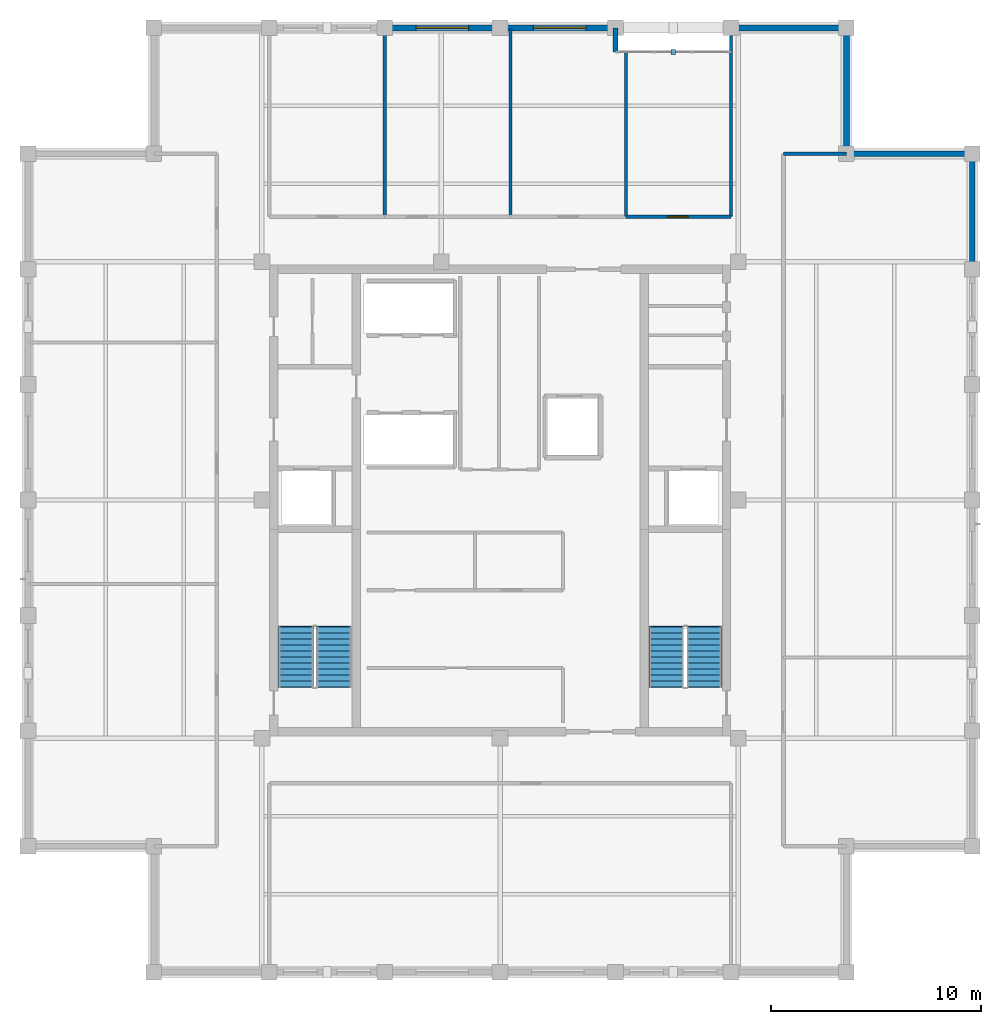
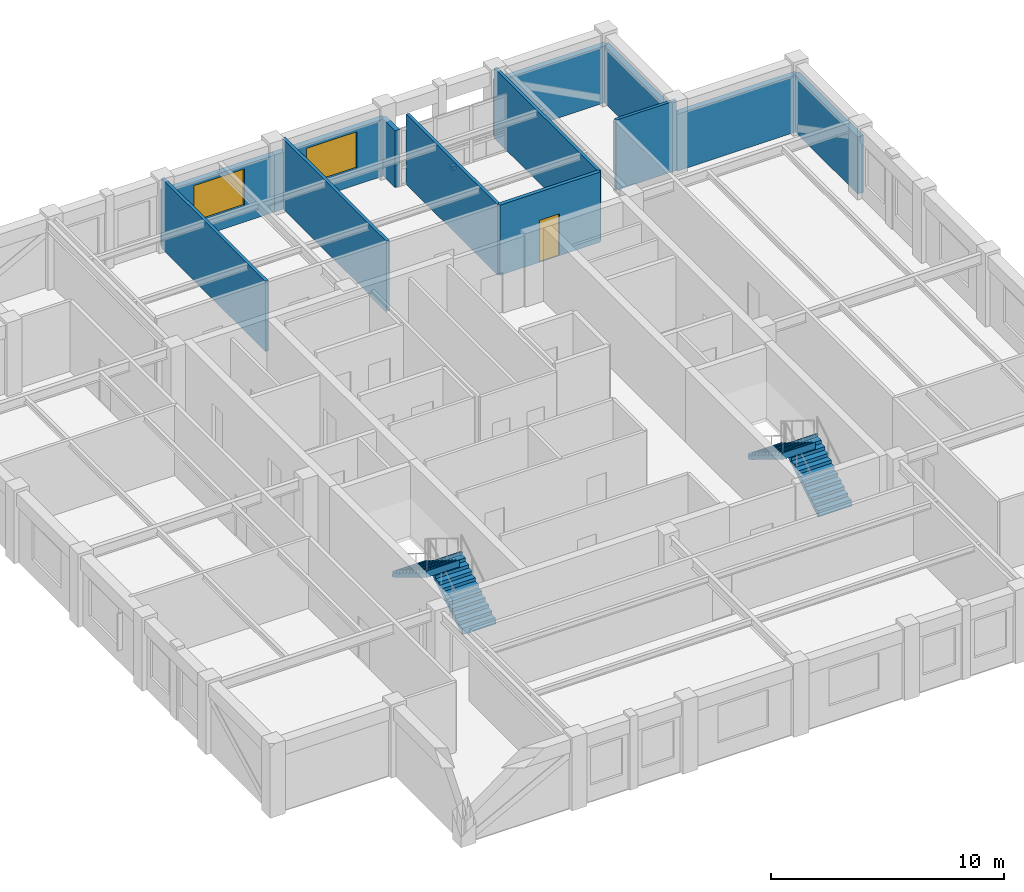
# One storey, part 9 of 10: 13 walls, 4 stair flights, 2 windows, 1 discrete accessory, 1 door, 3 openings, 2 elements without a shape of their own.
"""IFC4 building model written with IfcOpenShell, lengths in metres."""

from ifc_helpers import new_model, si_unit, direction, frame, frame_2d, origin, origin_2d, place, context, subcontext, project, spatial, polyline, rectangle, outline, extrude, material, layer, layer_set, type_object, element, fill, aggregate, save


model = new_model("IFC4")

# Units and contexts
model_context = context("Model", 3, precision=1e-05, world=origin(), true_north=direction((0.0, 1.0)))
body_context = subcontext(model_context, "Body", "Model", "MODEL_VIEW")
ifc_project = project(units=[si_unit("LENGTHUNIT", "METRE"), si_unit("AREAUNIT", "SQUARE_METRE"), si_unit("VOLUMEUNIT", "CUBIC_METRE"), si_unit("PLANEANGLEUNIT", "RADIAN"), si_unit("MASSUNIT", "GRAM", prefix="KILO")], contexts=[model_context])

# Site, building, storey
site_placement = place(None, origin())
site = spatial("IfcSite", under=ifc_project, at=site_placement, CompositionType="ELEMENT")
building_placement = place(site_placement, origin())
building = spatial("IfcBuilding", under=site, at=building_placement, Name="Nhamokura Convention Tower", CompositionType="ELEMENT")
storey_placement = place(building_placement, frame((0.0, 0.0, 277.550048828125)))
storey = spatial("IfcBuildingStorey", under=building, at=storey_placement, Name="L68", CompositionType="ELEMENT", Elevation=277.550048828125)

# Wall
ifc_material_1 = material(Name="Bronze-pigmented precast concrete C45/55", Category="concrete")
ifc_layer_1 = layer(ifc_material_1, 0.280029296875)
ifc_layer_set_1 = layer_set([ifc_layer_1], Name="BronzePrecastSpandrel_280")
wall_type_1 = type_object("IfcWallType", Name="BronzePrecastSpandrel_280", PredefinedType="USERDEFINED", material=ifc_layer_set_1)
wall_1_placement = place(storey_placement, frame((37.5, 54.5, 0.0), z_axis=(0.0, 0.0, 1.0), x_axis=(0.0, -1.0, 0.0)))
element("IfcWall", 1, at=wall_1_placement, inside=storey, type_object=wall_type_1, Name="L68 Scale Slot Cheek Wall NORTHA", ObjectType="SPANDREL_WALL", PredefinedType="USERDEFINED", context=body_context, shape_type="SweptSolid", body=[
    extrude(rectangle(XDim=1.14990234375, YDim=0.239990234375, at=frame_2d((0.574951171875, 0.0))), origin(), (0.0, 0.0, 1.0), 2.98486328125),
])

# Wall, opening, window
wall_2_placement = place(storey_placement, frame((26.5, 54.5, 0.0), z_axis=(0.0, 0.0, 1.0), x_axis=(1.0, 0.0, 0.0)))
wall_2 = element("IfcWall", 2, at=wall_2_placement, inside=storey, type_object=wall_type_1, Name="L68 Masonry-Frame Wall NORTH 2", ObjectType="SPANDREL_WALL", PredefinedType="USERDEFINED", context=body_context, shape_type="SweptSolid", body=[
    extrude(rectangle(XDim=5.5, YDim=0.280029296875, at=frame_2d((2.75, 0.0))), origin(), (0.0, 0.0, 1.0), 2.98486328125),
])
opening_1_placement = place(wall_2_placement, frame((1.5, 0.0, 0.85009765625)))
opening_1 = element("IfcOpeningElement", 3, at=opening_1_placement, cuts=wall_2, Name="Opening W-09", PredefinedType="OPENING", context=body_context, shape_type="SweptSolid", body=[
    extrude(rectangle(XDim=2.5, YDim=1.93505859375, at=frame_2d((1.25, 0.967529296875))), frame((0.0, 0.14990234375, 0.0), z_axis=(0.0, -1.0, 0.0), x_axis=(1.0, 0.0, 0.0)), (0.0, 0.0, 1.0), 0.300048828125),
])
ifc_material_2 = material(Name="Solar-control bronze low-E double glass", Category="glass")
window_type = type_object("IfcWindowType", Name="SummitWindow_Z4_2500", PartitioningType="DOUBLE_PANEL_VERTICAL", PredefinedType="WINDOW", material=ifc_material_2)
window_1_placement = place(opening_1_placement, origin())
window_1 = element("IfcWindow", 4, at=window_1_placement, inside=storey, type_object=window_type, Name="L68 Facade Window NORTH 2", OverallHeight=1.93505859375, OverallWidth=2.5, PartitioningType="SINGLE_PANEL", PredefinedType="WINDOW", context=body_context, shape_type="SweptSolid", body=[
    extrude(rectangle(XDim=2.5, YDim=1.93505859375, at=frame_2d((1.25, 0.967529296875))), frame((0.0, 0.030029296875, 0.0), z_axis=(0.0, -1.0, 0.0), x_axis=(1.0, 0.0, 0.0)), (0.0, 0.0, 1.0), 0.06005859375),
])
fill(opening_1, window_1)

wall_3_placement = place(storey_placement, frame((32.0, 54.5, 0.0), z_axis=(0.0, 0.0, 1.0), x_axis=(1.0, 0.0, 0.0)))
wall_3 = element("IfcWall", 5, at=wall_3_placement, inside=storey, type_object=wall_type_1, Name="L68 Masonry-Frame Wall NORTH 3", ObjectType="SPANDREL_WALL", PredefinedType="USERDEFINED", context=body_context, shape_type="SweptSolid", body=[
    extrude(rectangle(XDim=5.5, YDim=0.280029296875, at=frame_2d((2.75, 0.0))), origin(), (0.0, 0.0, 1.0), 2.98486328125),
])
opening_2_placement = place(wall_3_placement, frame((1.58740234375, 0.0, 0.85009765625)))
opening_2 = element("IfcOpeningElement", 6, at=opening_2_placement, cuts=wall_3, Name="Opening W-09", PredefinedType="OPENING", context=body_context, shape_type="SweptSolid", body=[
    extrude(rectangle(XDim=2.5, YDim=1.93505859375, at=frame_2d((1.25, 0.967529296875))), frame((0.0, 0.14990234375, 0.0), z_axis=(0.0, -1.0, 0.0), x_axis=(1.0, 0.0, 0.0)), (0.0, 0.0, 1.0), 0.300048828125),
])
window_2_placement = place(opening_2_placement, origin())
window_2 = element("IfcWindow", 7, at=window_2_placement, inside=storey, type_object=window_type, Name="L68 Facade Window NORTH 3", OverallHeight=1.93505859375, OverallWidth=2.5, PartitioningType="SINGLE_PANEL", PredefinedType="WINDOW", context=body_context, shape_type="SweptSolid", body=[
    extrude(rectangle(XDim=2.5, YDim=1.93505859375, at=frame_2d((1.25, 0.967529296875))), frame((0.0, 0.030029296875, 0.0), z_axis=(0.0, -1.0, 0.0), x_axis=(1.0, 0.0, 0.0)), (0.0, 0.0, 1.0), 0.06005859375),
])
fill(opening_2, window_2)

# Walls
for number, where, z_axis, x_axis, name in (
    (8, (43.0, 54.5, 0.0), (0.0, 0.0, 1.0), (1.0, 0.0, 0.0), "L68 Braced-Bay Precast Wall NORTH 5"),
    (9, (54.5, 48.5, 0.0), (0.0, 0.0, 1.0), (0.0, -1.0, 0.0), "L68 Braced-Bay Precast Wall EAST 5"),
):
    element("IfcWall", number, at=place(storey_placement, frame(where, z_axis=z_axis, x_axis=x_axis)), inside=storey, type_object=wall_type_1, Name=name, ObjectType="SPANDREL_WALL", PredefinedType="USERDEFINED", context=body_context, shape_type="SweptSolid", body=[
        extrude(rectangle(XDim=5.5, YDim=0.280029296875, at=frame_2d((2.75, 0.0))), origin(), (0.0, 0.0, 1.0), 2.98486328125),
    ])
for number, where, z_axis, x_axis, name in (
    (10, (48.5, 48.5, 0.0), (0.0, 0.0, 1.0), (1.0, 0.0, 0.0), "L68 Notched Corner Wall NE1"),
    (11, (48.5, 54.5, 0.0), (0.0, 0.0, 1.0), (0.0, -1.0, 0.0), "L68 Notched Corner Wall NE2"),
):
    element("IfcWall", number, at=place(storey_placement, frame(where, z_axis=z_axis, x_axis=x_axis)), inside=storey, type_object=wall_type_1, Name=name, ObjectType="SPANDREL_WALL", PredefinedType="USERDEFINED", context=body_context, shape_type="SweptSolid", body=[
        extrude(rectangle(XDim=6.0, YDim=0.280029296875, at=frame_2d((3.0, 0.0))), origin(), (0.0, 0.0, 1.0), 2.98486328125),
    ])

# Wall, opening, door
ifc_material_3 = material(Name="Fire-rated gypsum and masonry partition", Category="masonry")
ifc_layer_2 = layer(ifc_material_3, 0.179931640625)
ifc_layer_set_2 = layer_set([ifc_layer_2], Name="CorridorRatedWall_180")
wall_type_2 = type_object("IfcWallType", Name="CorridorRatedWall_180", PredefinedType="STANDARD", material=ifc_layer_set_2)
wall_4_placement = place(storey_placement, frame((38.0, 45.5, 0.0), z_axis=(0.0, 0.0, 1.0), x_axis=(1.0, 0.0, 0.0)))
wall_4 = element("IfcWall", 12, at=wall_4_placement, inside=storey, type_object=wall_type_2, Name="L68 Wall INT-L68-CW-N03", PredefinedType="STANDARD", context=body_context, shape_type="SweptSolid", body=[
    extrude(rectangle(XDim=5.0, YDim=0.179931640625, at=frame_2d((2.5, 0.0))), origin(), (0.0, 0.0, 1.0), 3.68505859375),
])
opening_3_placement = place(wall_4_placement, frame((1.97509765625, 0.0, 0.0)))
opening_3 = element("IfcOpeningElement", 13, at=opening_3_placement, cuts=wall_4, Name="Opening D-08", PredefinedType="OPENING", context=body_context, shape_type="SweptSolid", body=[
    extrude(rectangle(XDim=0.97998046875, YDim=2.199951171875, at=frame_2d((0.489990234375, 1.10009765625))), frame((0.0, 0.099853515625, 0.0), z_axis=(0.0, -1.0, 0.0), x_axis=(1.0, 0.0, 0.0)), (0.0, 0.0, 1.0), 0.199951171875),
])
ifc_material_4 = material(Name="Solid oak hardwood", Category="wood")
door_type = type_object("IfcDoorType", Name="OfficeEntryDoor_980", OperationType="NOTDEFINED", PredefinedType="DOOR", material=ifc_material_4)
door_placement = place(opening_3_placement, origin())
door = element("IfcDoor", 14, at=door_placement, inside=storey, type_object=door_type, Name="L68 Document Store N04 Door", OperationType="SINGLE_SWING_RIGHT", OverallHeight=2.199951171875, OverallWidth=0.97998046875, PredefinedType="DOOR", context=body_context, shape_type="SweptSolid", body=[
    extrude(rectangle(XDim=0.97998046875, YDim=2.199951171875, at=frame_2d((0.489990234375, 1.10009765625))), frame((0.0, 0.02490234375, 0.0), z_axis=(0.0, -1.0, 0.0), x_axis=(1.0, 0.0, 0.0)), (0.0, 0.0, 1.0), 0.050048828125),
])
fill(opening_3, door)

# Walls
ifc_material_5 = material(Name="Acoustic gypsum stud partition", Category="masonry")
ifc_layer_3 = layer(ifc_material_5, 0.14990234375)
ifc_layer_set_3 = layer_set([ifc_layer_3], Name="InteriorPartition_150")
wall_type_3 = type_object("IfcWallType", Name="InteriorPartition_150", PredefinedType="STANDARD", material=ifc_layer_set_3)
for number, where, z_axis, x_axis, name in (
    (15, (43.0, 45.5, 0.0), (0.0, 0.0, 1.0), (0.0, 1.0, 0.0), "L68 Wall INT-L68-RWR-N"),
    (16, (26.5, 45.5, 0.0), (0.0, 0.0, 1.0), (0.0, 1.0, 0.0), "L68 Wall INT-L68-RW-N01"),
    (17, (32.5, 45.5, 0.0), (0.0, 0.0, 1.0), (0.0, 1.0, 0.0), "L68 Wall INT-L68-RW-N02"),
):
    element("IfcWall", number, at=place(storey_placement, frame(where, z_axis=z_axis, x_axis=x_axis)), inside=storey, type_object=wall_type_3, Name=name, PredefinedType="STANDARD", context=body_context, shape_type="SweptSolid", body=[
        extrude(rectangle(XDim=8.93994140625, YDim=0.14990234375, at=frame_2d((4.469970703125, 0.0))), origin(), (0.0, 0.0, 1.0), 3.68505859375),
    ])
wall_5_placement = place(storey_placement, frame((38.0, 45.5, 0.0), z_axis=(0.0, 0.0, 1.0), x_axis=(0.0, 1.0, 0.0)))
element("IfcWall", 18, at=wall_5_placement, inside=storey, type_object=wall_type_3, Name="L68 Wall INT-L68-RW-N03", PredefinedType="STANDARD", context=body_context, shape_type="SweptSolid", body=[
    extrude(rectangle(XDim=7.840087890625, YDim=0.14990234375, at=frame_2d((3.919921875, 0.0))), origin(), (0.0, 0.0, 1.0), 3.68505859375),
])
wall_6_placement = place(storey_placement, frame((45.5, 48.5, 0.0), z_axis=(0.0, 0.0, 1.0), x_axis=(1.0, 0.0, 0.0)))
element("IfcWall", 19, at=wall_6_placement, inside=storey, type_object=wall_type_3, Name="L68 Wall INT-L68-VSTP-EN", PredefinedType="STANDARD", context=body_context, shape_type="SweptSolid", body=[
    extrude(rectangle(XDim=3.0, YDim=0.14990234375, at=frame_2d((1.5, 0.0))), origin(), (0.0, 0.0, 1.0), 3.68505859375),
])

# Stair, stair flights
ifc_material_6 = material(Name="Concrete C40/50", Category="concrete")
stair_type = type_object("IfcStairType", Name="TowerCoreStair_1650", PredefinedType="HALF_TURN_STAIR", material=ifc_material_6)
stair_1_placement = place(storey_placement, origin())
stair_1 = element("IfcStair", 20, at=stair_1_placement, inside=storey, type_object=stair_type, Name="L68 West Core Smokeproof Stair ST-01", PredefinedType="HALF_TURN_STAIR")
ifc_material_7 = material(Name="Concrete C40/50", Category="concrete")
stair_flight_type = type_object("IfcStairFlightType", Name="TowerCoreStair_1650_Flight", PredefinedType="STRAIGHT", material=ifc_material_7)
stair_flight_1_placement = place(storey_placement, frame((24.074951171875, 23.10009765625, 0.0), z_axis=(0.0, 0.0, 1.0), x_axis=(0.0, 1.0, 0.0)))
stair_flight_1 = element("IfcStairFlight", 21, at=stair_flight_1_placement, type_object=stair_flight_type, Name="ST-01 flight 1", NumberOfRisers=11, NumberOfTreads=10, PredefinedType="STRAIGHT", RiserHeight=0.175, TreadLength=0.285, context=body_context, shape_type="SweptSolid", body=[
    extrude(outline(polyline([(-0.0419921875, 0.0), (0.0, 0.175048828125), (0.284912109375, 0.175048828125), (0.284912109375, 0.35009765625), (0.570068359375, 0.35009765625), (0.570068359375, 0.52490234375), (0.85498046875, 0.52490234375), (0.85498046875, 0.699951171875), (1.139892578125, 0.699951171875), (1.139892578125, 0.875), (1.425048828125, 0.875), (1.425048828125, 1.050048828125), (1.7099609375, 1.050048828125), (1.7099609375, 1.22509765625), (1.9951171875, 1.22509765625), (1.9951171875, 1.39990234375), (2.280029296875, 1.39990234375), (2.280029296875, 1.574951171875), (2.56494140625, 1.574951171875), (2.56494140625, 1.75), (2.85009765625, 1.75), (2.85009765625, 1.925048828125), (2.89208984375, 1.925048828125), (2.89208984375, 1.573974609375), (2.85009765625, 1.573974609375), (0.286376953125, 0.0), (0.02001953125, -0.1298828125), (-0.0419921875, -0.1298828125), (-0.0419921875, 0.0)])), frame((0.0, 0.824951171875, 0.0), z_axis=(0.0, -1.0, 0.0), x_axis=(1.0, 0.0, 0.0)), (0.0, 0.0, 1.0), 1.64990234375),
])
stair_flight_2_placement = place(storey_placement, frame((22.27490234375, 25.949951171875, 1.925048828125), z_axis=(0.0, 0.0, 1.0), x_axis=(0.0, -1.0, 0.0)))
stair_flight_2 = element("IfcStairFlight", 22, at=stair_flight_2_placement, type_object=stair_flight_type, Name="ST-01 flight 2", NumberOfRisers=11, NumberOfTreads=10, PredefinedType="STRAIGHT", RiserHeight=0.175, TreadLength=0.285, context=body_context, shape_type="SweptSolid", body=[
    extrude(outline(polyline([(-0.0419921875, 0.0), (0.0, 0.175048828125), (0.284912109375, 0.175048828125), (0.284912109375, 0.35009765625), (0.570068359375, 0.35009765625), (0.570068359375, 0.52490234375), (0.85498046875, 0.52490234375), (0.85498046875, 0.699951171875), (1.139892578125, 0.699951171875), (1.139892578125, 0.875), (1.425048828125, 0.875), (1.425048828125, 1.050048828125), (1.7099609375, 1.050048828125), (1.7099609375, 1.22509765625), (1.9951171875, 1.22509765625), (1.9951171875, 1.39990234375), (2.280029296875, 1.39990234375), (2.280029296875, 1.574951171875), (2.56494140625, 1.574951171875), (2.56494140625, 1.75), (2.85009765625, 1.75), (2.85009765625, 1.925048828125), (2.89208984375, 1.925048828125), (2.89208984375, 1.573974609375), (2.85009765625, 1.573974609375), (0.286376953125, 0.0), (0.02001953125, -0.1298828125), (-0.0419921875, -0.1298828125), (-0.0419921875, 0.0)])), frame((0.0, 0.824951171875, 0.0), z_axis=(0.0, -1.0, 0.0), x_axis=(1.0, 0.0, 0.0)), (0.0, 0.0, 1.0), 1.64990234375),
])
aggregate(stair_1, [stair_flight_1, stair_flight_2])

stair_2_placement = place(storey_placement, origin())
stair_2 = element("IfcStair", 23, at=stair_2_placement, inside=storey, type_object=stair_type, Name="L68 East Core Smokeproof Stair ST-02", PredefinedType="HALF_TURN_STAIR")
stair_flight_3_placement = place(storey_placement, frame((41.72509765625, 23.10009765625, 0.0), z_axis=(0.0, 0.0, 1.0), x_axis=(0.0, 1.0, 0.0)))
stair_flight_3 = element("IfcStairFlight", 24, at=stair_flight_3_placement, type_object=stair_flight_type, Name="ST-02 flight 1", NumberOfRisers=11, NumberOfTreads=10, PredefinedType="STRAIGHT", RiserHeight=0.175, TreadLength=0.285, context=body_context, shape_type="SweptSolid", body=[
    extrude(outline(polyline([(-0.0419921875, 0.0), (0.0, 0.175048828125), (0.284912109375, 0.175048828125), (0.284912109375, 0.35009765625), (0.570068359375, 0.35009765625), (0.570068359375, 0.52490234375), (0.85498046875, 0.52490234375), (0.85498046875, 0.699951171875), (1.139892578125, 0.699951171875), (1.139892578125, 0.875), (1.425048828125, 0.875), (1.425048828125, 1.050048828125), (1.7099609375, 1.050048828125), (1.7099609375, 1.22509765625), (1.9951171875, 1.22509765625), (1.9951171875, 1.39990234375), (2.280029296875, 1.39990234375), (2.280029296875, 1.574951171875), (2.56494140625, 1.574951171875), (2.56494140625, 1.75), (2.85009765625, 1.75), (2.85009765625, 1.925048828125), (2.89208984375, 1.925048828125), (2.89208984375, 1.573974609375), (2.85009765625, 1.573974609375), (0.286376953125, 0.0), (0.02001953125, -0.1298828125), (-0.0419921875, -0.1298828125), (-0.0419921875, 0.0)])), frame((0.0, 0.824951171875, 0.0), z_axis=(0.0, -1.0, 0.0), x_axis=(1.0, 0.0, 0.0)), (0.0, 0.0, 1.0), 1.64990234375),
])
stair_flight_4_placement = place(storey_placement, frame((39.925048828125, 25.949951171875, 1.925048828125), z_axis=(0.0, 0.0, 1.0), x_axis=(0.0, -1.0, 0.0)))
stair_flight_4 = element("IfcStairFlight", 25, at=stair_flight_4_placement, type_object=stair_flight_type, Name="ST-02 flight 2", NumberOfRisers=11, NumberOfTreads=10, PredefinedType="STRAIGHT", RiserHeight=0.175, TreadLength=0.285, context=body_context, shape_type="SweptSolid", body=[
    extrude(outline(polyline([(-0.0419921875, 0.0), (0.0, 0.175048828125), (0.284912109375, 0.175048828125), (0.284912109375, 0.35009765625), (0.570068359375, 0.35009765625), (0.570068359375, 0.52490234375), (0.85498046875, 0.52490234375), (0.85498046875, 0.699951171875), (1.139892578125, 0.699951171875), (1.139892578125, 0.875), (1.425048828125, 0.875), (1.425048828125, 1.050048828125), (1.7099609375, 1.050048828125), (1.7099609375, 1.22509765625), (1.9951171875, 1.22509765625), (1.9951171875, 1.39990234375), (2.280029296875, 1.39990234375), (2.280029296875, 1.574951171875), (2.56494140625, 1.574951171875), (2.56494140625, 1.75), (2.85009765625, 1.75), (2.85009765625, 1.925048828125), (2.89208984375, 1.925048828125), (2.89208984375, 1.573974609375), (2.85009765625, 1.573974609375), (0.286376953125, 0.0), (0.02001953125, -0.1298828125), (-0.0419921875, -0.1298828125), (-0.0419921875, 0.0)])), frame((0.0, 0.824951171875, 0.0), z_axis=(0.0, -1.0, 0.0), x_axis=(1.0, 0.0, 0.0)), (0.0, 0.0, 1.0), 1.64990234375),
])
aggregate(stair_2, [stair_flight_3, stair_flight_4])

# Discrete accessory
ifc_material_8 = material(Name="Steel ASTM A572 Gr 50", Category="steel")
discrete_accessory_type = type_object("IfcDiscreteAccessoryType", Name="FacadeOutstandBracket", PredefinedType="BRACKET", material=ifc_material_8)
discrete_accessory_placement = place(storey_placement, frame((40.25, 53.35009765625, -0.02001953125), z_axis=(0.0, 0.0, 1.0), x_axis=(1.0, 0.0, 0.0)))
element("IfcDiscreteAccessory", 26, at=discrete_accessory_placement, inside=storey, type_object=discrete_accessory_type, Name="L68 Scale Slot Base Shoe Bracket NORTH 4", PredefinedType="BRACKET", context=body_context, shape_type="SweptSolid", body=[
    extrude(rectangle(XDim=0.219970703125, YDim=0.219970703125, at=origin_2d()), origin(), (0.0, 0.0, 1.0), 0.199951171875),
])

save(model, "model.ifc")
